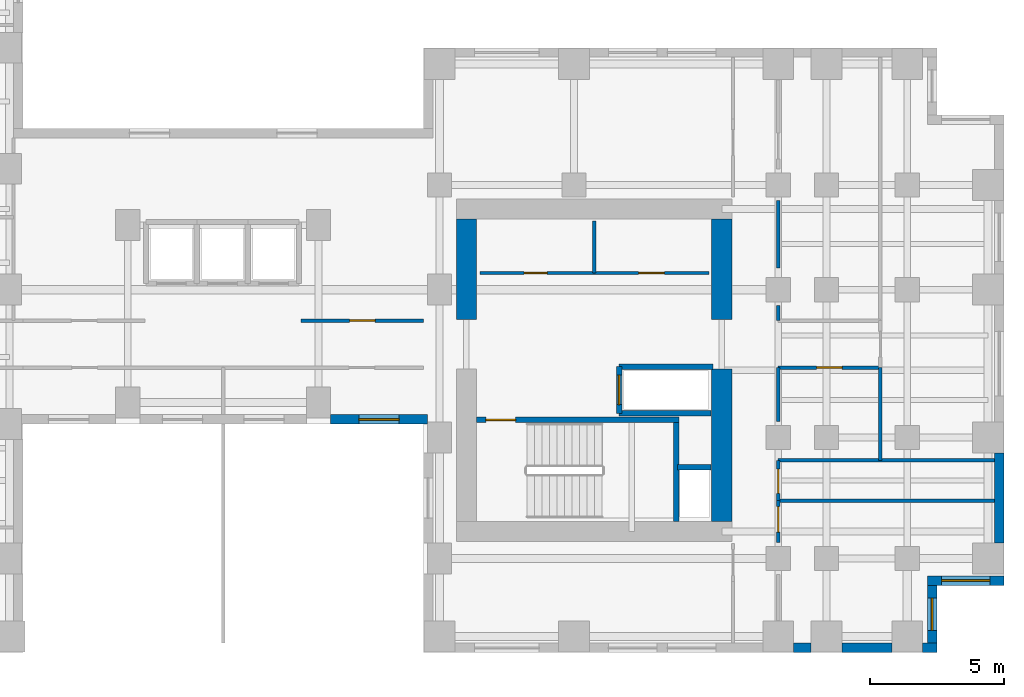
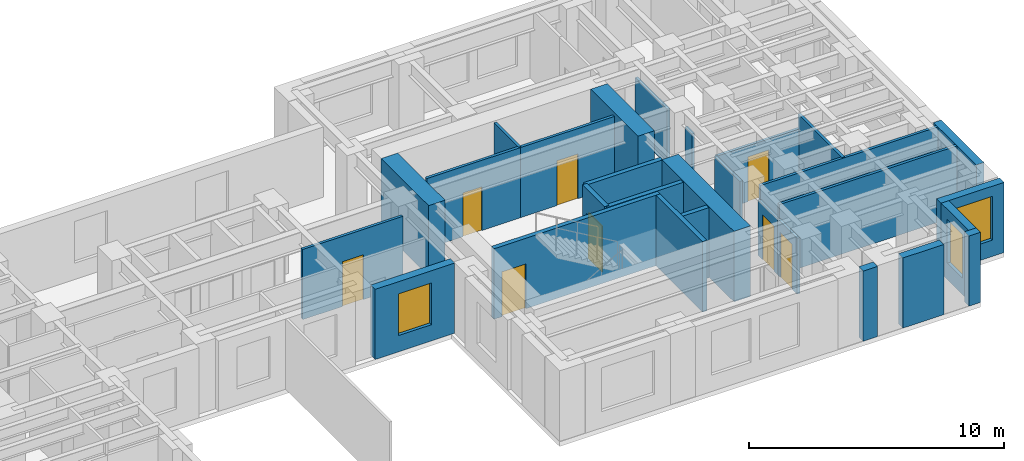
# One storey, part 7 of 11: 29 walls, 8 doors, 3 windows, 11 openings.
"""IFC4 building model written with IfcOpenShell, lengths in metres."""

from ifc_helpers import new_model, si_unit, direction, frame, frame_2d, origin, place, context, subcontext, project, spatial, rectangle, extrude, source, transform, mapped, material, layer, layer_set, type_object, element, fill, save


model = new_model("IFC4")

# Units and contexts
model_context = context("Model", 3, precision=1e-05, world=origin(), true_north=direction((0.0, 1.0)))
body_context = subcontext(model_context, "Body", "Model", "MODEL_VIEW")
ifc_project = project(units=[si_unit("LENGTHUNIT", "METRE"), si_unit("AREAUNIT", "SQUARE_METRE"), si_unit("VOLUMEUNIT", "CUBIC_METRE"), si_unit("PLANEANGLEUNIT", "RADIAN"), si_unit("MASSUNIT", "GRAM", prefix="KILO")], contexts=[model_context])

# Site, building, storey
site_placement = place(None, origin())
site = spatial("IfcSite", under=ifc_project, at=site_placement, CompositionType="ELEMENT")
building_placement = place(site_placement, origin())
building = spatial("IfcBuilding", under=site, at=building_placement, Name="Kharzan Plaza Tower", CompositionType="ELEMENT")
storey_placement = place(building_placement, frame((0.0, 0.0, 127.800048828125)))
storey = spatial("IfcBuildingStorey", under=building, at=storey_placement, Name="L34", CompositionType="ELEMENT", Elevation=127.800048828125)

# Wall, opening, window
ifc_material_1 = material(Name="Concrete C40/50", Category="concrete")
ifc_layer_1 = layer(ifc_material_1, 0.35009765625)
ifc_layer_set_1 = layer_set([ifc_layer_1], Name="Concrete C40/50")
wall_type_1 = type_object("IfcWallType", Name="WL-EXT-MAS-Z2", PredefinedType="SOLIDWALL", material=ifc_layer_set_1)
wall_1_placement = place(storey_placement, frame((30.947998046875, 8.675048828125, 0.0), z_axis=(0.0, 0.0, 1.0), x_axis=(1.0, 0.0, 0.0)))
wall_1 = element("IfcWall", 1, at=wall_1_placement, inside=storey, type_object=wall_type_1, Name="L34 Masonry-Frame Exterior Wall 36", PredefinedType="SOLIDWALL", context=body_context, shape_type="SweptSolid", body=[
    extrude(rectangle(XDim=3.60400390625, YDim=0.35009765625, at=frame_2d((1.802001953125, 0.0))), origin(), (0.0, 0.0, 1.0), 3.364990234375),
])
opening_1_placement = place(wall_1_placement, frame((1.052001953125, 0.0, 0.780029296875)))
opening_1 = element("IfcOpeningElement", 2, at=opening_1_placement, cuts=wall_1, Name="Opening W5", PredefinedType="OPENING", context=body_context, shape_type="SweptSolid", body=[
    extrude(rectangle(XDim=1.5, YDim=2.0, at=frame_2d((0.75, 1.0))), frame((0.0, 0.18505859375, 0.0), z_axis=(0.0, -1.0, 0.0), x_axis=(1.0, 0.0, 0.0)), (0.0, 0.0, 1.0), 0.3701171875),
])
ifc_material_2 = material(Name="Low-E Double Glazing", Category="glass")
window_type_1 = type_object("IfcWindowType", Name="WN-SLT-1500x2000", PartitioningType="SINGLE_PANEL", PredefinedType="WINDOW", material=ifc_material_2)
shared_shape_1 = source(origin(), body_context, "Body", "SweptSolid", [
    extrude(rectangle(XDim=1.5, YDim=2.0, at=frame_2d((0.75, 1.0))), frame((0.0, 0.030029296875, 0.0), z_axis=(0.0, -1.0, 0.0), x_axis=(1.0, 0.0, 0.0)), (0.0, 0.0, 1.0), 0.06005859375),
])
window_1_placement = place(opening_1_placement, origin())
window_1 = element("IfcWindow", 3, at=window_1_placement, inside=storey, type_object=window_type_1, Name="L34 Recessed Solar-Control Window 36-1", OverallHeight=2.0, OverallWidth=1.5, PartitioningType="SINGLE_PANEL", PredefinedType="WINDOW", context=body_context, shape_type="MappedRepresentation", body=[
    mapped(shared_shape_1, transform((0.0, 0.0, 0.0), x_axis=(1.0, 0.0, 0.0), y_axis=(0.0, 1.0, 0.0), z_axis=(0.0, 0.0, 1.0))),
])
fill(opening_1, window_1)

wall_2_placement = place(storey_placement, frame((53.324951171875, 0.347900390625, 0.0), z_axis=(0.0, 0.0, 1.0), x_axis=(0.0, 1.0, 0.0)))
wall_2 = element("IfcWall", 4, at=wall_2_placement, inside=storey, type_object=wall_type_1, Name="L34 Masonry-Frame Exterior Wall 44", PredefinedType="SOLIDWALL", context=body_context, shape_type="SweptSolid", body=[
    extrude(rectangle(XDim=2.154052734375, YDim=0.35009765625, at=frame_2d((1.0771484375, 0.0))), origin(), (0.0, 0.0, 1.0), 3.364990234375),
])
opening_2_placement = place(wall_2_placement, frame((0.47705078125, 0.0, 0.780029296875)))
opening_2 = element("IfcOpeningElement", 5, at=opening_2_placement, cuts=wall_2, Name="Opening W3", PredefinedType="OPENING", context=body_context, shape_type="SweptSolid", body=[
    extrude(rectangle(XDim=1.199951171875, YDim=2.10009765625, at=frame_2d((0.60009765625, 1.050048828125))), frame((0.0, 0.18505859375, 0.0), z_axis=(0.0, -1.0, 0.0), x_axis=(1.0, 0.0, 0.0)), (0.0, 0.0, 1.0), 0.3701171875),
])
window_type_2 = type_object("IfcWindowType", Name="WN-REC-1200x2100", PartitioningType="SINGLE_PANEL", PredefinedType="WINDOW", material=ifc_material_2)
shared_shape_2 = source(origin(), body_context, "Body", "SweptSolid", [
    extrude(rectangle(XDim=1.199951171875, YDim=2.10009765625, at=frame_2d((0.60009765625, 1.050048828125))), frame((0.0, 0.030029296875, 0.0), z_axis=(0.0, -1.0, 0.0), x_axis=(1.0, 0.0, 0.0)), (0.0, 0.0, 1.0), 0.06005859375),
])
window_2_placement = place(opening_2_placement, origin())
window_2 = element("IfcWindow", 6, at=window_2_placement, inside=storey, type_object=window_type_2, Name="L34 Recessed Solar-Control Window 44-1", OverallHeight=2.10009765625, OverallWidth=1.199951171875, PartitioningType="SINGLE_PANEL", PredefinedType="WINDOW", context=body_context, shape_type="MappedRepresentation", body=[
    mapped(shared_shape_2, transform((0.0, 0.0, 0.0), x_axis=(1.0, 0.0, 0.0), y_axis=(0.0, 1.0, 0.0), z_axis=(0.0, 0.0, 1.0))),
])
fill(opening_2, window_2)

wall_3_placement = place(storey_placement, frame((53.14990234375, 2.675048828125, 0.0), z_axis=(0.0, 0.0, 1.0), x_axis=(1.0, 0.0, 0.0)))
wall_3 = element("IfcWall", 7, at=wall_3_placement, inside=storey, type_object=wall_type_1, Name="L34 Masonry-Frame Exterior Wall 45", PredefinedType="SOLIDWALL", context=body_context, shape_type="SweptSolid", body=[
    extrude(rectangle(XDim=2.85009765625, YDim=0.35009765625, at=frame_2d((1.425048828125, 0.0))), origin(), (0.0, 0.0, 1.0), 3.364990234375),
])
opening_3_placement = place(wall_3_placement, frame((0.52490234375, 0.0, 0.780029296875)))
opening_3 = element("IfcOpeningElement", 8, at=opening_3_placement, cuts=wall_3, Name="Opening W1", PredefinedType="OPENING", context=body_context, shape_type="SweptSolid", body=[
    extrude(rectangle(XDim=1.800048828125, YDim=2.10009765625, at=frame_2d((0.89990234375, 1.050048828125))), frame((0.0, 0.18505859375, 0.0), z_axis=(0.0, -1.0, 0.0), x_axis=(1.0, 0.0, 0.0)), (0.0, 0.0, 1.0), 0.3701171875),
])
window_type_3 = type_object("IfcWindowType", Name="WN-REC-1800x2100", PartitioningType="SINGLE_PANEL", PredefinedType="WINDOW", material=ifc_material_2)
shared_shape_3 = source(origin(), body_context, "Body", "SweptSolid", [
    extrude(rectangle(XDim=1.800048828125, YDim=2.10009765625, at=frame_2d((0.89990234375, 1.050048828125))), frame((0.0, 0.030029296875, 0.0), z_axis=(0.0, -1.0, 0.0), x_axis=(1.0, 0.0, 0.0)), (0.0, 0.0, 1.0), 0.06005859375),
])
window_3_placement = place(opening_3_placement, origin())
window_3 = element("IfcWindow", 9, at=window_3_placement, inside=storey, type_object=window_type_3, Name="L34 Recessed Solar-Control Window 45-1", OverallHeight=2.10009765625, OverallWidth=1.800048828125, PartitioningType="SINGLE_PANEL", PredefinedType="WINDOW", context=body_context, shape_type="MappedRepresentation", body=[
    mapped(shared_shape_3, transform((0.0, 0.0, 0.0), x_axis=(1.0, 0.0, 0.0), y_axis=(0.0, 1.0, 0.0), z_axis=(0.0, 0.0, 1.0))),
])
fill(opening_3, window_3)

# Wall, opening, door
ifc_material_3 = material(Name="Fire-Rated Gypsum Board Partition", Category="gypsum")
ifc_layer_2 = layer(ifc_material_3, 0.125)
ifc_layer_set_2 = layer_set([ifc_layer_2], Name="Fire-Rated Gypsum Board Partition")
wall_type_2 = type_object("IfcWallType", Name="WL-INT-PART-125", PredefinedType="PARTITIONING", material=ifc_layer_set_2)
wall_4_placement = place(storey_placement, frame((36.5, 14.1201171875, 0.0), z_axis=(0.0, 0.0, 1.0), x_axis=(1.0, 0.0, 0.0)))
wall_4 = element("IfcWall", 10, at=wall_4_placement, inside=storey, type_object=wall_type_2, Name="L34 Interior Partition CB-RBLS1", PredefinedType="PARTITIONING", context=body_context, shape_type="SweptSolid", body=[
    extrude(rectangle(XDim=4.25, YDim=0.125, at=frame_2d((2.125, 0.0))), origin(), (0.0, 0.0, 1.0), 3.364990234375),
])
opening_4_placement = place(wall_4_placement, frame((1.64990234375, 0.0, 0.0)))
opening_4 = element("IfcOpeningElement", 11, at=opening_4_placement, cuts=wall_4, Name="Opening RD1", PredefinedType="OPENING", context=body_context, shape_type="SweptSolid", body=[
    extrude(rectangle(XDim=0.85009765625, YDim=2.10009765625, at=frame_2d((0.425048828125, 1.050048828125))), frame((0.0, 0.072509765625, 0.0), z_axis=(0.0, -1.0, 0.0), x_axis=(1.0, 0.0, 0.0)), (0.0, 0.0, 1.0), 0.14501953125),
])
ifc_material_4 = material(Name="Powder-Coated Fire-Rated Steel", Category="steel")
door_type_1 = type_object("IfcDoorType", Name="DR-RISER-900", OperationType="NOTDEFINED", PredefinedType="DOOR", material=ifc_material_4)
shared_shape_4 = source(origin(), body_context, "Body", "SweptSolid", [
    extrude(rectangle(XDim=0.85009765625, YDim=2.10009765625, at=frame_2d((0.425048828125, 1.050048828125))), frame((0.0, 0.02490234375, 0.0), z_axis=(0.0, -1.0, 0.0), x_axis=(1.0, 0.0, 0.0)), (0.0, 0.0, 1.0), 0.050048828125),
])
door_1_placement = place(opening_4_placement, origin())
door_1 = element("IfcDoor", 12, at=door_1_placement, inside=storey, type_object=door_type_1, Name="L34 Archive Room Door", OperationType="SINGLE_SWING_RIGHT", OverallHeight=2.10009765625, OverallWidth=0.85009765625, PredefinedType="DOOR", context=body_context, shape_type="MappedRepresentation", body=[
    mapped(shared_shape_4, transform((0.0, 0.0, 0.0), x_axis=(1.0, 0.0, 0.0), y_axis=(0.0, 1.0, 0.0), z_axis=(0.0, 0.0, 1.0))),
])
fill(opening_4, door_1)

wall_5_placement = place(storey_placement, frame((40.75, 14.1201171875, 0.0), z_axis=(0.0, 0.0, 1.0), x_axis=(1.0, 0.0, 0.0)))
wall_5 = element("IfcWall", 13, at=wall_5_placement, inside=storey, type_object=wall_type_2, Name="L34 Interior Partition CB-RBLS2", PredefinedType="PARTITIONING", context=body_context, shape_type="SweptSolid", body=[
    extrude(rectangle(XDim=4.27001953125, YDim=0.125, at=frame_2d((2.135009765625, 0.0))), origin(), (0.0, 0.0, 1.0), 3.364990234375),
])
opening_5_placement = place(wall_5_placement, frame((1.659912109375, 0.0, 0.0)))
opening_5 = element("IfcOpeningElement", 14, at=opening_5_placement, cuts=wall_5, Name="Opening OD1", PredefinedType="OPENING", context=body_context, shape_type="SweptSolid", body=[
    extrude(rectangle(XDim=0.949951171875, YDim=2.14990234375, at=frame_2d((0.47509765625, 1.074951171875))), frame((0.0, 0.072509765625, 0.0), z_axis=(0.0, -1.0, 0.0), x_axis=(1.0, 0.0, 0.0)), (0.0, 0.0, 1.0), 0.14501953125),
])
ifc_material_5 = material(Name="Acoustic Solid-Core Stained Oak", Category="timber")
door_type_2 = type_object("IfcDoorType", Name="DR-OFF-SINGLE", OperationType="NOTDEFINED", PredefinedType="DOOR", material=ifc_material_5)
shared_shape_5 = source(origin(), body_context, "Body", "SweptSolid", [
    extrude(rectangle(XDim=0.949951171875, YDim=2.14990234375, at=frame_2d((0.47509765625, 1.074951171875))), frame((0.0, 0.02490234375, 0.0), z_axis=(0.0, -1.0, 0.0), x_axis=(1.0, 0.0, 0.0)), (0.0, 0.0, 1.0), 0.050048828125),
])
door_2_placement = place(opening_5_placement, origin())
door_2 = element("IfcDoor", 15, at=door_2_placement, inside=storey, type_object=door_type_2, Name="L34 Print Room Door", OperationType="SINGLE_SWING_LEFT", OverallHeight=2.14990234375, OverallWidth=0.949951171875, PredefinedType="DOOR", context=body_context, shape_type="MappedRepresentation", body=[
    mapped(shared_shape_5, transform((0.0, 0.0, 0.0), x_axis=(1.0, 0.0, 0.0), y_axis=(0.0, 1.0, 0.0), z_axis=(0.0, 0.0, 1.0))),
])
fill(opening_5, door_2)

wall_6_placement = place(storey_placement, frame((47.60009765625, 10.60009765625, 0.0), z_axis=(0.0, 0.0, 1.0), x_axis=(1.0, 0.0, 0.0)))
wall_6 = element("IfcWall", 16, at=wall_6_placement, inside=storey, type_object=wall_type_2, Name="L34 Interior Partition SH-B2S1", PredefinedType="PARTITIONING", context=body_context, shape_type="SweptSolid", body=[
    extrude(rectangle(XDim=3.7998046875, YDim=0.125, at=frame_2d((1.89990234375, 0.0))), origin(), (0.0, 0.0, 1.0), 2.677001953125),
])
opening_6_placement = place(wall_6_placement, frame((1.425048828125, 0.0, 0.0)))
opening_6 = element("IfcOpeningElement", 17, at=opening_6_placement, cuts=wall_6, Name="Opening OD1", PredefinedType="OPENING", context=body_context, shape_type="SweptSolid", body=[
    extrude(rectangle(XDim=0.949951171875, YDim=2.14990234375, at=frame_2d((0.47509765625, 1.074951171875))), frame((0.0, 0.072509765625, 0.0), z_axis=(0.0, -1.0, 0.0), x_axis=(1.0, 0.0, 0.0)), (0.0, 0.0, 1.0), 0.14501953125),
])
door_3_placement = place(opening_6_placement, origin())
door_3 = element("IfcDoor", 18, at=door_3_placement, inside=storey, type_object=door_type_2, Name="L34 Spur South Office Door", OperationType="SINGLE_SWING_LEFT", OverallHeight=2.14990234375, OverallWidth=0.949951171875, PredefinedType="DOOR", context=body_context, shape_type="MappedRepresentation", body=[
    mapped(shared_shape_5, transform((0.0, 0.0, 0.0), x_axis=(1.0, 0.0, 0.0), y_axis=(0.0, 1.0, 0.0), z_axis=(0.0, 0.0, 1.0))),
])
fill(opening_6, door_3)

wall_7_placement = place(storey_placement, frame((47.60009765625, 4.090087890625, 0.0), z_axis=(0.0, 0.0, 1.0), x_axis=(0.0, 1.0, 0.0)))
wall_7 = element("IfcWall", 19, at=wall_7_placement, inside=storey, type_object=wall_type_2, Name="L34 Interior Partition SH-B2W0", PredefinedType="PARTITIONING", context=body_context, shape_type="SweptSolid", body=[
    extrude(rectangle(XDim=1.559814453125, YDim=0.125, at=frame_2d((0.77978515625, 0.0))), origin(), (0.0, 0.0, 1.0), 2.677001953125),
])
opening_7_placement = place(wall_7_placement, frame((0.38818359375, 0.0, 0.0)))
opening_7 = element("IfcOpeningElement", 20, at=opening_7_placement, cuts=wall_7, Name="Opening OD1", PredefinedType="OPENING", context=body_context, shape_type="SweptSolid", body=[
    extrude(rectangle(XDim=0.949951171875, YDim=2.14990234375, at=frame_2d((0.47509765625, 1.074951171875))), frame((0.0, 0.072509765625, 0.0), z_axis=(0.0, -1.0, 0.0), x_axis=(1.0, 0.0, 0.0)), (0.0, 0.0, 1.0), 0.14501953125),
])
door_4_placement = place(opening_7_placement, origin())
door_4 = element("IfcDoor", 21, at=door_4_placement, inside=storey, type_object=door_type_2, Name="L34 Wing B South Office Door", OperationType="SINGLE_SWING_RIGHT", OverallHeight=2.14990234375, OverallWidth=0.949951171875, PredefinedType="DOOR", context=body_context, shape_type="MappedRepresentation", body=[
    mapped(shared_shape_5, transform((0.0, 0.0, 0.0), x_axis=(1.0, 0.0, 0.0), y_axis=(0.0, 1.0, 0.0), z_axis=(0.0, 0.0, 1.0))),
])
fill(opening_7, door_4)

wall_8_placement = place(storey_placement, frame((47.60009765625, 5.64990234375, 0.0), z_axis=(0.0, 0.0, 1.0), x_axis=(0.0, 1.0, 0.0)))
wall_8 = element("IfcWall", 22, at=wall_8_placement, inside=storey, type_object=wall_type_2, Name="L34 Interior Partition SH-B2WC", PredefinedType="PARTITIONING", context=body_context, shape_type="SweptSolid", body=[
    extrude(rectangle(XDim=1.5, YDim=0.125, at=frame_2d((0.75, 0.0))), origin(), (0.0, 0.0, 1.0), 2.677001953125),
])
opening_8_placement = place(wall_8_placement, frame((0.27490234375, 0.0, 0.0)))
opening_8 = element("IfcOpeningElement", 23, at=opening_8_placement, cuts=wall_8, Name="Opening WD1", PredefinedType="OPENING", context=body_context, shape_type="SweptSolid", body=[
    extrude(rectangle(XDim=0.89990234375, YDim=2.14990234375, at=frame_2d((0.449951171875, 1.074951171875))), frame((0.0, 0.072509765625, 0.0), z_axis=(0.0, -1.0, 0.0), x_axis=(1.0, 0.0, 0.0)), (0.0, 0.0, 1.0), 0.14501953125),
])
ifc_material_6 = material(Name="Moisture-Resistant Fire-Rated Laminate", Category="timber")
door_type_3 = type_object("IfcDoorType", Name="DR-WC-900", OperationType="NOTDEFINED", PredefinedType="DOOR", material=ifc_material_6)
shared_shape_6 = source(origin(), body_context, "Body", "SweptSolid", [
    extrude(rectangle(XDim=0.89990234375, YDim=2.14990234375, at=frame_2d((0.449951171875, 1.074951171875))), frame((0.0, 0.02490234375, 0.0), z_axis=(0.0, -1.0, 0.0), x_axis=(1.0, 0.0, 0.0)), (0.0, 0.0, 1.0), 0.050048828125),
])
door_5_placement = place(opening_8_placement, origin())
door_5 = element("IfcDoor", 24, at=door_5_placement, inside=storey, type_object=door_type_3, Name="L34 Wing B Washroom Door", OperationType="SINGLE_SWING_LEFT", OverallHeight=2.14990234375, OverallWidth=0.89990234375, PredefinedType="DOOR", context=body_context, shape_type="MappedRepresentation", body=[
    mapped(shared_shape_6, transform((0.0, 0.0, 0.0), x_axis=(1.0, 0.0, 0.0), y_axis=(0.0, 1.0, 0.0), z_axis=(0.0, 0.0, 1.0))),
])
fill(opening_8, door_5)

wall_9_placement = place(storey_placement, frame((29.85009765625, 12.35009765625, 0.0), z_axis=(0.0, 0.0, 1.0), x_axis=(1.0, 0.0, 0.0)))
wall_9 = element("IfcWall", 25, at=wall_9_placement, inside=storey, type_object=wall_type_2, Name="L34 Interior Partition SH-SPNE1", PredefinedType="PARTITIONING", context=body_context, shape_type="SweptSolid", body=[
    extrude(rectangle(XDim=4.5498046875, YDim=0.125, at=frame_2d((2.27490234375, 0.0))), origin(), (0.0, 0.0, 1.0), 3.364990234375),
])
opening_9_placement = place(wall_9_placement, frame((1.800048828125, 0.0, 0.0)))
opening_9 = element("IfcOpeningElement", 26, at=opening_9_placement, cuts=wall_9, Name="Opening OD1", PredefinedType="OPENING", context=body_context, shape_type="SweptSolid", body=[
    extrude(rectangle(XDim=0.949951171875, YDim=2.14990234375, at=frame_2d((0.47509765625, 1.074951171875))), frame((0.0, 0.072509765625, 0.0), z_axis=(0.0, -1.0, 0.0), x_axis=(1.0, 0.0, 0.0)), (0.0, 0.0, 1.0), 0.14501953125),
])
door_6_placement = place(opening_9_placement, origin())
door_6 = element("IfcDoor", 27, at=door_6_placement, inside=storey, type_object=door_type_2, Name="L34 North-East Spine Door", OperationType="SINGLE_SWING_RIGHT", OverallHeight=2.14990234375, OverallWidth=0.949951171875, PredefinedType="DOOR", context=body_context, shape_type="MappedRepresentation", body=[
    mapped(shared_shape_5, transform((0.0, 0.0, 0.0), x_axis=(1.0, 0.0, 0.0), y_axis=(0.0, 1.0, 0.0), z_axis=(0.0, 0.0, 1.0))),
])
fill(opening_9, door_6)

ifc_layer_3 = layer(ifc_material_1, 0.199951171875)
ifc_layer_set_3 = layer_set([ifc_layer_3], Name="Concrete C40/50")
wall_type_3 = type_object("IfcWallType", Name="WL-INT-SHAFT-200", PredefinedType="PARTITIONING", material=ifc_layer_set_3)
wall_10_placement = place(storey_placement, frame((41.679931640625, 8.89990234375, 0.0), z_axis=(0.0, 0.0, 1.0), x_axis=(0.0, 1.0, 0.0)))
wall_10 = element("IfcWall", 28, at=wall_10_placement, inside=storey, type_object=wall_type_3, Name="L34 Interior Partition SHF-SVL-2-W", PredefinedType="PARTITIONING", context=body_context, shape_type="SweptSolid", body=[
    extrude(rectangle(XDim=1.739990234375, YDim=0.199951171875, at=frame_2d((0.8701171875, 0.0))), origin(), (0.0, 0.0, 1.0), 3.364990234375),
])
opening_10_placement = place(wall_10_placement, frame((0.320068359375, 0.0, 0.0)))
opening_10 = element("IfcOpeningElement", 29, at=opening_10_placement, cuts=wall_10, Name="Opening LD", PredefinedType="OPENING", context=body_context, shape_type="SweptSolid", body=[
    extrude(rectangle(XDim=1.10009765625, YDim=2.199951171875, at=frame_2d((0.550048828125, 1.10009765625))), frame((0.0, 0.10986328125, 0.0), z_axis=(0.0, -1.0, 0.0), x_axis=(1.0, 0.0, 0.0)), (0.0, 0.0, 1.0), 0.219970703125),
])
ifc_material_7 = material(Name="Brushed Stainless Steel", Category="steel")
door_type_4 = type_object("IfcDoorType", Name="DR-LIFT-SLIDE", OperationType="SLIDING_TO_LEFT", PredefinedType="DOOR", material=ifc_material_7)
shared_shape_7 = source(origin(), body_context, "Body", "SweptSolid", [
    extrude(rectangle(XDim=1.10009765625, YDim=2.199951171875, at=frame_2d((0.550048828125, 1.10009765625))), frame((0.0, 0.02490234375, 0.0), z_axis=(0.0, -1.0, 0.0), x_axis=(1.0, 0.0, 0.0)), (0.0, 0.0, 1.0), 0.050048828125),
])
door_7_placement = place(opening_10_placement, origin())
door_7 = element("IfcDoor", 30, at=door_7_placement, inside=storey, type_object=door_type_4, Name="L34 Service Lift SVL-2 Sliding Landing Door", OperationType="SLIDING_TO_LEFT", OverallHeight=2.199951171875, OverallWidth=1.10009765625, PredefinedType="DOOR", context=body_context, shape_type="MappedRepresentation", body=[
    mapped(shared_shape_7, transform((0.0, 0.0, 0.0), x_axis=(1.0, 0.0, 0.0), y_axis=(0.0, 1.0, 0.0), z_axis=(0.0, 0.0, 1.0))),
])
fill(opening_10, door_7)

ifc_material_8 = material(Name="Concrete C50/60", Category="concrete")
ifc_layer_4 = layer(ifc_material_8, 0.199951171875)
ifc_layer_set_4 = layer_set([ifc_layer_4], Name="Concrete C50/60")
wall_type_4 = type_object("IfcWallType", Name="WL-SHAFT-RC200", PredefinedType="SHEAR", material=ifc_layer_set_4)
wall_11_placement = place(storey_placement, frame((36.376953125, 8.655029296875, 0.0), z_axis=(0.0, 0.0, 1.0), x_axis=(1.0, 0.0, 0.0)))
wall_11 = element("IfcWall", 31, at=wall_11_placement, inside=storey, type_object=wall_type_4, Name="L34 Stair ST-3 North RC Shaft Wall", PredefinedType="SHEAR", context=body_context, shape_type="SweptSolid", body=[
    extrude(rectangle(XDim=7.528076171875, YDim=0.199951171875, at=frame_2d((3.76416015625, 0.0))), origin(), (0.0, 0.0, 1.0), 3.3798828125),
])
opening_11_placement = place(wall_11_placement, frame((0.35009765625, 0.0, 0.0)))
opening_11 = element("IfcOpeningElement", 32, at=opening_11_placement, cuts=wall_11, Name="Opening SD1", PredefinedType="OPENING", context=body_context, shape_type="SweptSolid", body=[
    extrude(rectangle(XDim=1.10009765625, YDim=2.14990234375, at=frame_2d((0.550048828125, 1.074951171875))), frame((0.0, 0.10986328125, 0.0), z_axis=(0.0, -1.0, 0.0), x_axis=(1.0, 0.0, 0.0)), (0.0, 0.0, 1.0), 0.219970703125),
])
ifc_material_9 = material(Name="Fire-Rated Hollow Galvanized Steel", Category="steel")
door_type_5 = type_object("IfcDoorType", Name="DR-STAIR-FD120", OperationType="NOTDEFINED", PredefinedType="DOOR", material=ifc_material_9)
shared_shape_8 = source(origin(), body_context, "Body", "SweptSolid", [
    extrude(rectangle(XDim=1.10009765625, YDim=2.14990234375, at=frame_2d((0.550048828125, 1.074951171875))), frame((0.0, 0.02490234375, 0.0), z_axis=(0.0, -1.0, 0.0), x_axis=(1.0, 0.0, 0.0)), (0.0, 0.0, 1.0), 0.050048828125),
])
door_8_placement = place(opening_11_placement, origin())
door_8 = element("IfcDoor", 33, at=door_8_placement, inside=storey, type_object=door_type_5, Name="L34 Stair ST-3 Fire Exit Door", OperationType="SINGLE_SWING_LEFT", OverallHeight=2.14990234375, OverallWidth=1.10009765625, PredefinedType="DOOR", context=body_context, shape_type="MappedRepresentation", body=[
    mapped(shared_shape_8, transform((0.0, 0.0, 0.0), x_axis=(1.0, 0.0, 0.0), y_axis=(0.0, 1.0, 0.0), z_axis=(0.0, 0.0, 1.0))),
])
fill(opening_11, door_8)

# Walls
shared_shape_9 = source(origin(), body_context, "Body", "SweptSolid", [
    extrude(rectangle(XDim=3.489990234375, YDim=0.199951171875, at=frame_2d((1.7451171875, 0.0))), origin(), (0.0, 0.0, 1.0), 3.364990234375),
])
wall_12_placement = place(storey_placement, frame((41.679931640625, 10.639892578125, 0.0), z_axis=(0.0, 0.0, 1.0), x_axis=(1.0, 0.0, 0.0)))
element("IfcWall", 34, at=wall_12_placement, inside=storey, type_object=wall_type_3, Name="L34 Interior Partition SHF-SVL-2-N", PredefinedType="PARTITIONING", context=body_context, shape_type="MappedRepresentation", body=[
    mapped(shared_shape_9, transform((0.0, 0.0, 0.0), x_axis=(1.0, 0.0, 0.0), y_axis=(0.0, 1.0, 0.0), z_axis=(0.0, 0.0, 1.0))),
])
shared_shape_10 = source(origin(), body_context, "Body", "SweptSolid", [
    extrude(rectangle(XDim=3.4501953125, YDim=0.125, at=frame_2d((1.72509765625, 0.0))), origin(), (0.0, 0.0, 1.0), 3.364990234375),
])
wall_13_placement = place(storey_placement, frame((51.39990234375, 7.14990234375, 0.0), z_axis=(0.0, 0.0, 1.0), x_axis=(0.0, 1.0, 0.0)))
element("IfcWall", 35, at=wall_13_placement, inside=storey, type_object=wall_type_2, Name="L34 Interior Partition SH-B2V1", PredefinedType="PARTITIONING", context=body_context, shape_type="MappedRepresentation", body=[
    mapped(shared_shape_10, transform((0.0, 0.0, 0.0), x_axis=(1.0, 0.0, 0.0), y_axis=(0.0, 1.0, 0.0), z_axis=(0.0, 0.0, 1.0))),
])
shared_shape_11 = source(origin(), body_context, "Body", "SweptSolid", [
    extrude(rectangle(XDim=0.65380859375, YDim=0.35009765625, at=frame_2d((0.326904296875, 0.0))), origin(), (0.0, 0.0, 1.0), 3.364990234375),
])
wall_14_placement = place(storey_placement, frame((48.173095703125, 0.175048828125, 0.0), z_axis=(0.0, 0.0, 1.0), x_axis=(1.0, 0.0, 0.0)))
element("IfcWall", 36, at=wall_14_placement, inside=storey, type_object=wall_type_1, Name="L34 Masonry-Frame Exterior Wall 41", PredefinedType="SOLIDWALL", context=body_context, shape_type="MappedRepresentation", body=[
    mapped(shared_shape_11, transform((0.0, 0.0, 0.0), x_axis=(1.0, 0.0, 0.0), y_axis=(0.0, 1.0, 0.0), z_axis=(0.0, 0.0, 1.0))),
])
shared_shape_12 = source(origin(), body_context, "Body", "SweptSolid", [
    extrude(rectangle(XDim=1.85400390625, YDim=0.35009765625, at=frame_2d((0.927001953125, 0.0))), origin(), (0.0, 0.0, 1.0), 3.364990234375),
])
wall_15_placement = place(storey_placement, frame((49.972900390625, 0.175048828125, 0.0), z_axis=(0.0, 0.0, 1.0), x_axis=(1.0, 0.0, 0.0)))
element("IfcWall", 37, at=wall_15_placement, inside=storey, type_object=wall_type_1, Name="L34 Masonry-Frame Exterior Wall 42", PredefinedType="SOLIDWALL", context=body_context, shape_type="MappedRepresentation", body=[
    mapped(shared_shape_12, transform((0.0, 0.0, 0.0), x_axis=(1.0, 0.0, 0.0), y_axis=(0.0, 1.0, 0.0), z_axis=(0.0, 0.0, 1.0))),
])
shared_shape_13 = source(origin(), body_context, "Body", "SweptSolid", [
    extrude(rectangle(XDim=0.527099609375, YDim=0.35009765625, at=frame_2d((0.263671875, 0.0))), origin(), (0.0, 0.0, 1.0), 3.364990234375),
])
wall_16_placement = place(storey_placement, frame((52.972900390625, 0.175048828125, 0.0), z_axis=(0.0, 0.0, 1.0), x_axis=(1.0, 0.0, 0.0)))
element("IfcWall", 38, at=wall_16_placement, inside=storey, type_object=wall_type_1, Name="L34 Masonry-Frame Exterior Wall 43", PredefinedType="SOLIDWALL", context=body_context, shape_type="MappedRepresentation", body=[
    mapped(shared_shape_13, transform((0.0, 0.0, 0.0), x_axis=(1.0, 0.0, 0.0), y_axis=(0.0, 1.0, 0.0), z_axis=(0.0, 0.0, 1.0))),
])
shared_shape_14 = source(origin(), body_context, "Body", "SweptSolid", [
    extrude(rectangle(XDim=3.35400390625, YDim=0.35009765625, at=frame_2d((1.677001953125, 0.0))), origin(), (0.0, 0.0, 1.0), 3.364990234375),
])
wall_17_placement = place(storey_placement, frame((55.824951171875, 4.072998046875, 0.0), z_axis=(0.0, 0.0, 1.0), x_axis=(0.0, 1.0, 0.0)))
element("IfcWall", 39, at=wall_17_placement, inside=storey, type_object=wall_type_1, Name="L34 Masonry-Frame Exterior Wall 46", PredefinedType="SOLIDWALL", context=body_context, shape_type="MappedRepresentation", body=[
    mapped(shared_shape_14, transform((0.0, 0.0, 0.0), x_axis=(1.0, 0.0, 0.0), y_axis=(0.0, 1.0, 0.0), z_axis=(0.0, 0.0, 1.0))),
])
shared_shape_15 = source(origin(), body_context, "Body", "SweptSolid", [
    extrude(rectangle(XDim=0.559814453125, YDim=0.125, at=frame_2d((0.27978515625, 0.0))), origin(), (0.0, 0.0, 1.0), 2.677001953125),
])
wall_18_placement = place(storey_placement, frame((47.60009765625, 12.35009765625, 0.0), z_axis=(0.0, 0.0, 1.0), x_axis=(0.0, 1.0, 0.0)))
element("IfcWall", 40, at=wall_18_placement, inside=storey, type_object=wall_type_2, Name="L34 Interior Partition SH-B2W3S", PredefinedType="PARTITIONING", context=body_context, shape_type="MappedRepresentation", body=[
    mapped(shared_shape_15, transform((0.0, 0.0, 0.0), x_axis=(1.0, 0.0, 0.0), y_axis=(0.0, 1.0, 0.0), z_axis=(0.0, 0.0, 1.0))),
])
shared_shape_16 = source(origin(), body_context, "Body", "SweptSolid", [
    extrude(rectangle(XDim=8.0478515625, YDim=0.125, at=frame_2d((4.02392578125, 0.0))), origin(), (0.0, 0.0, 1.0), 3.364990234375),
])
for number, where, z_axis, x_axis, name in (
    (41, (47.60009765625, 5.64990234375, 0.0), (0.0, 0.0, 1.0), (1.0, 0.0, 0.0), "L34 Interior Partition SH-B2H1"),
    (42, (47.60009765625, 7.14990234375, 0.0), (0.0, 0.0, 1.0), (1.0, 0.0, 0.0), "L34 Interior Partition SH-B2H2"),
):
    element("IfcWall", number, at=place(storey_placement, frame(where, z_axis=z_axis, x_axis=x_axis)), inside=storey, type_object=wall_type_2, Name=name, PredefinedType="PARTITIONING", context=body_context, shape_type="MappedRepresentation", body=[
        mapped(shared_shape_16, transform((0.0, 0.0, 0.0), x_axis=(1.0, 0.0, 0.0), y_axis=(0.0, 1.0, 0.0), z_axis=(0.0, 0.0, 1.0))),
    ])
shared_shape_17 = source(origin(), body_context, "Body", "SweptSolid", [
    extrude(rectangle(XDim=2.010009765625, YDim=0.125, at=frame_2d((1.0048828125, 0.0))), origin(), (0.0, 0.0, 1.0), 2.677001953125),
])
wall_19_placement = place(storey_placement, frame((47.60009765625, 8.590087890625, 0.0), z_axis=(0.0, 0.0, 1.0), x_axis=(0.0, 1.0, 0.0)))
element("IfcWall", 43, at=wall_19_placement, inside=storey, type_object=wall_type_2, Name="L34 Interior Partition SH-B2W1C", PredefinedType="PARTITIONING", context=body_context, shape_type="MappedRepresentation", body=[
    mapped(shared_shape_17, transform((0.0, 0.0, 0.0), x_axis=(1.0, 0.0, 0.0), y_axis=(0.0, 1.0, 0.0), z_axis=(0.0, 0.0, 1.0))),
])
shared_shape_18 = source(origin(), body_context, "Body", "SweptSolid", [
    extrude(rectangle(XDim=2.510009765625, YDim=0.125, at=frame_2d((1.2548828125, 0.0))), origin(), (0.0, 0.0, 1.0), 2.677001953125),
])
wall_20_placement = place(storey_placement, frame((47.60009765625, 14.300048828125, 0.0), z_axis=(0.0, 0.0, 1.0), x_axis=(0.0, 1.0, 0.0)))
element("IfcWall", 44, at=wall_20_placement, inside=storey, type_object=wall_type_2, Name="L34 Interior Partition SH-B2W3D-S1", PredefinedType="PARTITIONING", context=body_context, shape_type="MappedRepresentation", body=[
    mapped(shared_shape_18, transform((0.0, 0.0, 0.0), x_axis=(1.0, 0.0, 0.0), y_axis=(0.0, 1.0, 0.0), z_axis=(0.0, 0.0, 1.0))),
])
shared_shape_19 = source(origin(), body_context, "Body", "SweptSolid", [
    extrude(rectangle(XDim=1.244873046875, YDim=0.199951171875, at=frame_2d((0.62255859375, 0.0))), origin(), (0.0, 0.0, 1.0), 3.364990234375),
])
wall_21_placement = place(storey_placement, frame((43.85009765625, 6.89990234375, 0.0), z_axis=(0.0, 0.0, 1.0), x_axis=(1.0, 0.0, 0.0)))
element("IfcWall", 45, at=wall_21_placement, inside=storey, type_object=wall_type_3, Name="L34 Interior Partition CB-RSRB-N", PredefinedType="PARTITIONING", context=body_context, shape_type="MappedRepresentation", body=[
    mapped(shared_shape_19, transform((0.0, 0.0, 0.0), x_axis=(1.0, 0.0, 0.0), y_axis=(0.0, 1.0, 0.0), z_axis=(0.0, 0.0, 1.0))),
])
shared_shape_20 = source(origin(), body_context, "Body", "SweptSolid", [
    extrude(rectangle(XDim=3.4150390625, YDim=0.199951171875, at=frame_2d((1.70751953125, 0.0))), origin(), (0.0, 0.0, 1.0), 3.364990234375),
])
wall_22_placement = place(storey_placement, frame((41.679931640625, 8.89990234375, 0.0), z_axis=(0.0, 0.0, 1.0), x_axis=(1.0, 0.0, 0.0)))
element("IfcWall", 46, at=wall_22_placement, inside=storey, type_object=wall_type_3, Name="L34 Interior Partition SHF-SVL-2-S", PredefinedType="PARTITIONING", context=body_context, shape_type="MappedRepresentation", body=[
    mapped(shared_shape_20, transform((0.0, 0.0, 0.0), x_axis=(1.0, 0.0, 0.0), y_axis=(0.0, 1.0, 0.0), z_axis=(0.0, 0.0, 1.0))),
])
ifc_material_10 = material(Name="Concrete C60/75", Category="concrete")
ifc_layer_5 = layer(ifc_material_10, 0.75)
ifc_layer_set_5 = layer_set([ifc_layer_5], Name="Concrete C60/75")
wall_type_5 = type_object("IfcWallType", Name="WL-CORE-750", PredefinedType="SHEAR", material=ifc_layer_set_5)
shared_shape_21 = source(origin(), body_context, "Body", "SweptSolid", [
    extrude(rectangle(XDim=5.675048828125, YDim=0.75, at=frame_2d((2.83740234375, 0.0))), origin(), (0.0, 0.0, 1.0), 3.3798828125),
])
wall_23_placement = place(storey_placement, frame((45.5, 4.875, 0.0), z_axis=(0.0, 0.0, 1.0), x_axis=(0.0, 1.0, 0.0)))
element("IfcWall", 47, at=wall_23_placement, inside=storey, type_object=wall_type_5, Name="L34 CORE-B east shear pier 1", PredefinedType="SHEAR", context=body_context, shape_type="MappedRepresentation", body=[
    mapped(shared_shape_21, transform((0.0, 0.0, 0.0), x_axis=(1.0, 0.0, 0.0), y_axis=(0.0, 1.0, 0.0), z_axis=(0.0, 0.0, 1.0))),
])
shared_shape_22 = source(origin(), body_context, "Body", "SweptSolid", [
    extrude(rectangle(XDim=3.72509765625, YDim=0.75, at=frame_2d((1.862548828125, 0.0))), origin(), (0.0, 0.0, 1.0), 3.3798828125),
])
for number, where, z_axis, x_axis, name in (
    (48, (45.5, 12.39990234375, 0.0), (0.0, 0.0, 1.0), (0.0, 1.0, 0.0), "L34 CORE-B east shear pier 2"),
    (49, (36.0, 12.39990234375, 0.0), (0.0, 0.0, 1.0), (0.0, 1.0, 0.0), "L34 CORE-B west shear pier 2"),
):
    element("IfcWall", number, at=place(storey_placement, frame(where, z_axis=z_axis, x_axis=x_axis)), inside=storey, type_object=wall_type_5, Name=name, PredefinedType="SHEAR", context=body_context, shape_type="MappedRepresentation", body=[
        mapped(shared_shape_22, transform((0.0, 0.0, 0.0), x_axis=(1.0, 0.0, 0.0), y_axis=(0.0, 1.0, 0.0), z_axis=(0.0, 0.0, 1.0))),
    ])
shared_shape_23 = source(origin(), body_context, "Body", "SweptSolid", [
    extrude(rectangle(XDim=3.677978515625, YDim=0.199951171875, at=frame_2d((1.8388671875, 0.0))), origin(), (0.0, 0.0, 1.0), 3.3798828125),
])
wall_24_placement = place(storey_placement, frame((43.804931640625, 4.876953125, 0.0), z_axis=(0.0, 0.0, 1.0), x_axis=(0.0, 1.0, 0.0)))
element("IfcWall", 50, at=wall_24_placement, inside=storey, type_object=wall_type_4, Name="L34 Stair ST-3 East RC Shaft Wall", PredefinedType="SHEAR", context=body_context, shape_type="MappedRepresentation", body=[
    mapped(shared_shape_23, transform((0.0, 0.0, 0.0), x_axis=(1.0, 0.0, 0.0), y_axis=(0.0, 1.0, 0.0), z_axis=(0.0, 0.0, 1.0))),
])
shared_shape_24 = source(origin(), body_context, "Body", "SweptSolid", [
    extrude(rectangle(XDim=1.929931640625, YDim=0.125, at=frame_2d((0.96484375, 0.0))), origin(), (0.0, 0.0, 1.0), 3.364990234375),
])
wall_25_placement = place(storey_placement, frame((40.75, 14.1201171875, 0.0), z_axis=(0.0, 0.0, 1.0), x_axis=(0.0, 1.0, 0.0)))
element("IfcWall", 51, at=wall_25_placement, inside=storey, type_object=wall_type_2, Name="L34 Interior Partition CB-RBLM1", PredefinedType="PARTITIONING", context=body_context, shape_type="MappedRepresentation", body=[
    mapped(shared_shape_24, transform((0.0, 0.0, 0.0), x_axis=(1.0, 0.0, 0.0), y_axis=(0.0, 1.0, 0.0), z_axis=(0.0, 0.0, 1.0))),
])

save(model, "model.ifc")
